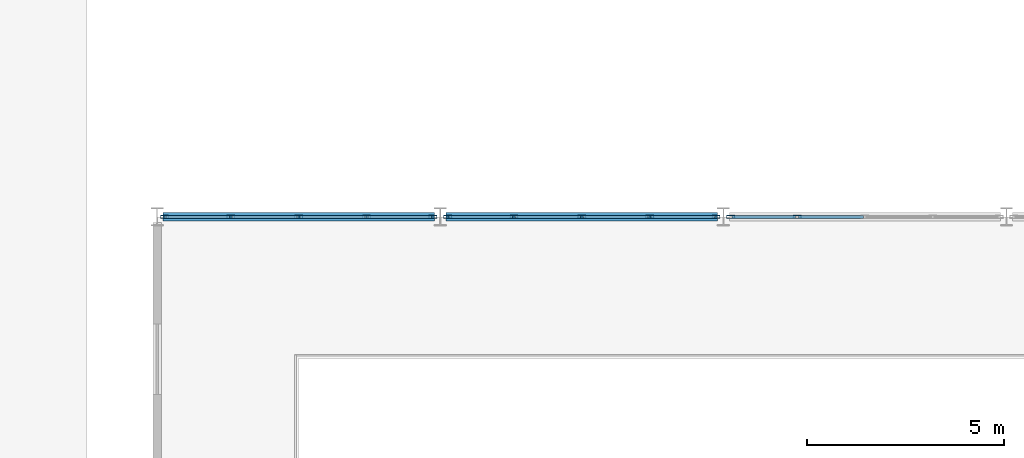
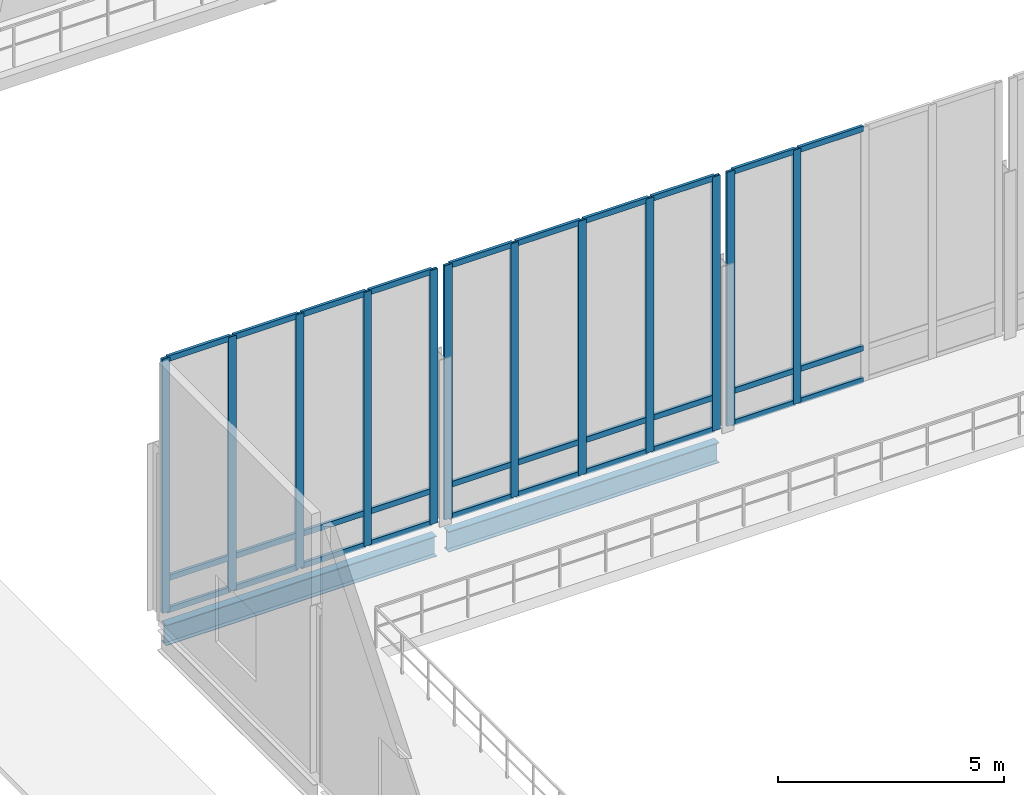
# One storey, part 35 of 110: 42 members, 2 beams, 3 elements without a shape of their own.
"""IFC4 building model written with IfcOpenShell, lengths in metres."""

from ifc_helpers import new_model, si_unit, direction, frame, origin, origin_2d, place, context, subcontext, project, spatial, hollow_rectangle, i_section, extrude, material, material_profile, profile_set, type_object, element, aggregate, save


model = new_model("IFC4")

# Units and contexts
model_context = context("Model", 3, precision=1e-05, world=origin(), true_north=direction((0.0, 1.0)))
body_context = subcontext(model_context, "Body", "Model", "MODEL_VIEW")
ifc_project = project(units=[si_unit("LENGTHUNIT", "METRE"), si_unit("AREAUNIT", "SQUARE_METRE"), si_unit("VOLUMEUNIT", "CUBIC_METRE"), si_unit("PLANEANGLEUNIT", "RADIAN"), si_unit("MASSUNIT", "GRAM", prefix="KILO")], contexts=[model_context])

# Site, building, storey
site_placement = place(None, origin())
site = spatial("IfcSite", under=ifc_project, at=site_placement, CompositionType="ELEMENT")
building_placement = place(site_placement, origin())
building = spatial("IfcBuilding", under=site, at=building_placement, Name="Suanplinth Sawtooth Commons", CompositionType="ELEMENT")
storey_placement = place(building_placement, frame((0.0, 0.0, 4.5)))
storey = spatial("IfcBuildingStorey", under=building, at=storey_placement, Name="L01", CompositionType="ELEMENT", Elevation=4.5)

# Beams
ifc_material_1 = material(Name="Steel S355JR", Category="steel")
ifc_material_profile_1 = material_profile(ifc_material_1, i_section(OverallWidth=0.2099609375, OverallDepth=0.550048828125, WebThickness=0.010986328125, FlangeThickness=0.01708984375, at=origin_2d()), Name="IPE 550")
ifc_profile_set_1 = profile_set([ifc_material_profile_1], Name="Steel S355JR")
beam_type = type_object("IfcBeamType", Name="B-10", PredefinedType="USERDEFINED", material=ifc_profile_set_1)
for number, where, z_axis, x_axis, name in (
    (1, (64.949951171875, 86.39990234375, -0.574951171875), (1.0, 0.0, 0.0), (0.0, 1.0, 0.0), "BMX-L01-HALL-9-12"),
    (2, (72.14990234375, 86.39990234375, -0.574951171875), (1.0, 0.0, 0.0), (0.0, 1.0, 0.0), "BMX-L01-HALL-10-12"),
):
    element("IfcBeam", number, at=place(storey_placement, frame(where, z_axis=z_axis, x_axis=x_axis)), inside=storey, type_object=beam_type, Name=name, ObjectType="GIRDER", PredefinedType="USERDEFINED", context=body_context, shape_type="SweptSolid", body=[
        extrude(i_section(OverallWidth=0.2099609375, OverallDepth=0.550048828125, WebThickness=0.010986328125, FlangeThickness=0.01708984375, at=origin_2d()), origin(), (0.0, 0.0, 1.0), 6.900146484375),
    ])

# Curtain wall, members
ifc_material_2 = material(Name="Anodized aluminium and low-E glazing", Category="aluminium")
curtain_wall_type = type_object("IfcCurtainWallType", Name="CW-01", PredefinedType="USERDEFINED", material=ifc_material_2)
curtain_wall_1_placement = place(storey_placement, origin())
curtain_wall_1 = element("IfcCurtainWall", 3, at=curtain_wall_1_placement, inside=storey, type_object=curtain_wall_type, Name="Curtain Wall CW-L01-HALL-N-0", ObjectType="CURTAIN WALL", PredefinedType="USERDEFINED")
ifc_material_3 = material(Name="Anodized aluminium 6063-T6", Category="aluminium")
ifc_material_profile_2 = material_profile(ifc_material_3, hollow_rectangle(XDim=0.074951171875, YDim=0.199951171875, WallThickness=0.0048828125, at=origin_2d()), Name="ALU-MUL 75x200")
ifc_profile_set_2 = profile_set([ifc_material_profile_2], Name="Anodized aluminium 6063-T6")
member_type_1 = type_object("IfcMemberType", Name="M-14", PredefinedType="MULLION", material=ifc_profile_set_2)
member_1_placement = place(storey_placement, frame((64.987548828125, 86.39990234375, 0.0), z_axis=(0.0, 0.0, 1.0), x_axis=(0.0, 1.0, 0.0)))
member_1 = element("IfcMember", 4, at=member_1_placement, type_object=member_type_1, Name="CW-01 mullion 1", PredefinedType="MULLION", context=body_context, shape_type="SweptSolid", body=[
    extrude(hollow_rectangle(XDim=0.074951171875, YDim=0.199951171875, WallThickness=0.0048828125, at=origin_2d()), origin(), (0.0, 0.0, 1.0), 6.85009765625),
])
member_2_placement = place(storey_placement, frame((66.675048828125, 86.39990234375, 0.0), z_axis=(0.0, 0.0, 1.0), x_axis=(0.0, 1.0, 0.0)))
member_2 = element("IfcMember", 5, at=member_2_placement, type_object=member_type_1, Name="CW-01 mullion 2", PredefinedType="MULLION", context=body_context, shape_type="SweptSolid", body=[
    extrude(hollow_rectangle(XDim=0.074951171875, YDim=0.199951171875, WallThickness=0.0048828125, at=origin_2d()), origin(), (0.0, 0.0, 1.0), 6.85009765625),
])
member_3_placement = place(storey_placement, frame((68.39990234375, 86.39990234375, 0.0), z_axis=(0.0, 0.0, 1.0), x_axis=(0.0, 1.0, 0.0)))
member_3 = element("IfcMember", 6, at=member_3_placement, type_object=member_type_1, Name="CW-01 mullion 3", PredefinedType="MULLION", context=body_context, shape_type="SweptSolid", body=[
    extrude(hollow_rectangle(XDim=0.074951171875, YDim=0.199951171875, WallThickness=0.0048828125, at=origin_2d()), origin(), (0.0, 0.0, 1.0), 6.85009765625),
])
member_4_placement = place(storey_placement, frame((70.125, 86.39990234375, 0.0), z_axis=(0.0, 0.0, 1.0), x_axis=(0.0, 1.0, 0.0)))
member_4 = element("IfcMember", 7, at=member_4_placement, type_object=member_type_1, Name="CW-01 mullion 4", PredefinedType="MULLION", context=body_context, shape_type="SweptSolid", body=[
    extrude(hollow_rectangle(XDim=0.074951171875, YDim=0.199951171875, WallThickness=0.0048828125, at=origin_2d()), origin(), (0.0, 0.0, 1.0), 6.85009765625),
])
member_5_placement = place(storey_placement, frame((71.8125, 86.39990234375, 0.0), z_axis=(0.0, 0.0, 1.0), x_axis=(0.0, 1.0, 0.0)))
member_5 = element("IfcMember", 8, at=member_5_placement, type_object=member_type_1, Name="CW-01 mullion 5", PredefinedType="MULLION", context=body_context, shape_type="SweptSolid", body=[
    extrude(hollow_rectangle(XDim=0.074951171875, YDim=0.199951171875, WallThickness=0.0048828125, at=origin_2d()), origin(), (0.0, 0.0, 1.0), 6.85009765625),
])

curtain_wall_2_placement = place(storey_placement, origin())
curtain_wall_2 = element("IfcCurtainWall", 9, at=curtain_wall_2_placement, inside=storey, type_object=curtain_wall_type, Name="Curtain Wall CW-L01-HALL-N-1", ObjectType="CURTAIN WALL", PredefinedType="USERDEFINED")
member_6_placement = place(storey_placement, frame((72.1875, 86.39990234375, 0.0), z_axis=(0.0, 0.0, 1.0), x_axis=(0.0, 1.0, 0.0)))
member_6 = element("IfcMember", 10, at=member_6_placement, type_object=member_type_1, Name="CW-01 mullion 1", PredefinedType="MULLION", context=body_context, shape_type="SweptSolid", body=[
    extrude(hollow_rectangle(XDim=0.074951171875, YDim=0.199951171875, WallThickness=0.0048828125, at=origin_2d()), origin(), (0.0, 0.0, 1.0), 6.85009765625),
])
member_7_placement = place(storey_placement, frame((73.875, 86.39990234375, 0.0), z_axis=(0.0, 0.0, 1.0), x_axis=(0.0, 1.0, 0.0)))
member_7 = element("IfcMember", 11, at=member_7_placement, type_object=member_type_1, Name="CW-01 mullion 2", PredefinedType="MULLION", context=body_context, shape_type="SweptSolid", body=[
    extrude(hollow_rectangle(XDim=0.074951171875, YDim=0.199951171875, WallThickness=0.0048828125, at=origin_2d()), origin(), (0.0, 0.0, 1.0), 6.85009765625),
])
member_8_placement = place(storey_placement, frame((75.60009765625, 86.39990234375, 0.0), z_axis=(0.0, 0.0, 1.0), x_axis=(0.0, 1.0, 0.0)))
member_8 = element("IfcMember", 12, at=member_8_placement, type_object=member_type_1, Name="CW-01 mullion 3", PredefinedType="MULLION", context=body_context, shape_type="SweptSolid", body=[
    extrude(hollow_rectangle(XDim=0.074951171875, YDim=0.199951171875, WallThickness=0.0048828125, at=origin_2d()), origin(), (0.0, 0.0, 1.0), 6.85009765625),
])
member_9_placement = place(storey_placement, frame((77.324951171875, 86.39990234375, 0.0), z_axis=(0.0, 0.0, 1.0), x_axis=(0.0, 1.0, 0.0)))
member_9 = element("IfcMember", 13, at=member_9_placement, type_object=member_type_1, Name="CW-01 mullion 4", PredefinedType="MULLION", context=body_context, shape_type="SweptSolid", body=[
    extrude(hollow_rectangle(XDim=0.074951171875, YDim=0.199951171875, WallThickness=0.0048828125, at=origin_2d()), origin(), (0.0, 0.0, 1.0), 6.85009765625),
])
member_10_placement = place(storey_placement, frame((79.012451171875, 86.39990234375, 0.0), z_axis=(0.0, 0.0, 1.0), x_axis=(0.0, 1.0, 0.0)))
member_10 = element("IfcMember", 14, at=member_10_placement, type_object=member_type_1, Name="CW-01 mullion 5", PredefinedType="MULLION", context=body_context, shape_type="SweptSolid", body=[
    extrude(hollow_rectangle(XDim=0.074951171875, YDim=0.199951171875, WallThickness=0.0048828125, at=origin_2d()), origin(), (0.0, 0.0, 1.0), 6.85009765625),
])

curtain_wall_3_placement = place(storey_placement, origin())
curtain_wall_3 = element("IfcCurtainWall", 15, at=curtain_wall_3_placement, inside=storey, type_object=curtain_wall_type, Name="Curtain Wall CW-L01-HALL-N-2", ObjectType="CURTAIN WALL", PredefinedType="USERDEFINED")
member_11_placement = place(storey_placement, frame((79.387451171875, 86.39990234375, 0.0), z_axis=(0.0, 0.0, 1.0), x_axis=(0.0, 1.0, 0.0)))
member_11 = element("IfcMember", 16, at=member_11_placement, type_object=member_type_1, Name="CW-01 mullion 1", PredefinedType="MULLION", context=body_context, shape_type="SweptSolid", body=[
    extrude(hollow_rectangle(XDim=0.074951171875, YDim=0.199951171875, WallThickness=0.0048828125, at=origin_2d()), origin(), (0.0, 0.0, 1.0), 6.85009765625),
])
member_12_placement = place(storey_placement, frame((81.074951171875, 86.39990234375, 0.0), z_axis=(0.0, 0.0, 1.0), x_axis=(0.0, 1.0, 0.0)))
member_12 = element("IfcMember", 17, at=member_12_placement, type_object=member_type_1, Name="CW-01 mullion 2", PredefinedType="MULLION", context=body_context, shape_type="SweptSolid", body=[
    extrude(hollow_rectangle(XDim=0.074951171875, YDim=0.199951171875, WallThickness=0.0048828125, at=origin_2d()), origin(), (0.0, 0.0, 1.0), 6.85009765625),
])

# Member
ifc_material_profile_3 = material_profile(ifc_material_3, hollow_rectangle(XDim=0.074951171875, YDim=0.14990234375, WallThickness=0.00439453125, at=origin_2d()), Name="ALU-TRN 75x150")
ifc_profile_set_3 = profile_set([ifc_material_profile_3], Name="Anodized aluminium 6063-T6")
member_type_2 = type_object("IfcMemberType", Name="M-16", PredefinedType="USERDEFINED", material=ifc_profile_set_3)
member_13_placement = place(storey_placement, frame((65.02490234375, 86.39990234375, 0.03759765625), z_axis=(1.0, 0.0, 0.0), x_axis=(0.0, 1.0, 0.0)))
member_13 = element("IfcMember", 18, at=member_13_placement, type_object=member_type_2, Name="CW-01 transom 1.1", ObjectType="TRANSOM", PredefinedType="USERDEFINED", context=body_context, shape_type="SweptSolid", body=[
    extrude(hollow_rectangle(XDim=0.074951171875, YDim=0.14990234375, WallThickness=0.00439453125, at=origin_2d()), origin(), (0.0, 0.0, 1.0), 1.612548828125),
])

member_14_placement = place(storey_placement, frame((65.02490234375, 86.39990234375, 0.89990234375), z_axis=(1.0, 0.0, 0.0), x_axis=(0.0, 1.0, 0.0)))
member_14 = element("IfcMember", 19, at=member_14_placement, type_object=member_type_2, Name="CW-01 transom 1.2", ObjectType="TRANSOM", PredefinedType="USERDEFINED", context=body_context, shape_type="SweptSolid", body=[
    extrude(hollow_rectangle(XDim=0.074951171875, YDim=0.14990234375, WallThickness=0.00439453125, at=origin_2d()), origin(), (0.0, 0.0, 1.0), 1.612548828125),
])

member_15_placement = place(storey_placement, frame((65.02490234375, 86.39990234375, 6.8125), z_axis=(1.0, 0.0, 0.0), x_axis=(0.0, 1.0, 0.0)))
member_15 = element("IfcMember", 20, at=member_15_placement, type_object=member_type_2, Name="CW-01 transom 1.3", ObjectType="TRANSOM", PredefinedType="USERDEFINED", context=body_context, shape_type="SweptSolid", body=[
    extrude(hollow_rectangle(XDim=0.074951171875, YDim=0.14990234375, WallThickness=0.00439453125, at=origin_2d()), origin(), (0.0, 0.0, 1.0), 1.612548828125),
])

member_16_placement = place(storey_placement, frame((66.71240234375, 86.39990234375, 0.03759765625), z_axis=(1.0, 0.0, 0.0), x_axis=(0.0, 1.0, 0.0)))
member_16 = element("IfcMember", 21, at=member_16_placement, type_object=member_type_2, Name="CW-01 transom 2.1", ObjectType="TRANSOM", PredefinedType="USERDEFINED", context=body_context, shape_type="SweptSolid", body=[
    extrude(hollow_rectangle(XDim=0.074951171875, YDim=0.14990234375, WallThickness=0.00439453125, at=origin_2d()), origin(), (0.0, 0.0, 1.0), 1.650146484375),
])

member_17_placement = place(storey_placement, frame((66.71240234375, 86.39990234375, 0.89990234375), z_axis=(1.0, 0.0, 0.0), x_axis=(0.0, 1.0, 0.0)))
member_17 = element("IfcMember", 22, at=member_17_placement, type_object=member_type_2, Name="CW-01 transom 2.2", ObjectType="TRANSOM", PredefinedType="USERDEFINED", context=body_context, shape_type="SweptSolid", body=[
    extrude(hollow_rectangle(XDim=0.074951171875, YDim=0.14990234375, WallThickness=0.00439453125, at=origin_2d()), origin(), (0.0, 0.0, 1.0), 1.650146484375),
])

member_18_placement = place(storey_placement, frame((66.71240234375, 86.39990234375, 6.8125), z_axis=(1.0, 0.0, 0.0), x_axis=(0.0, 1.0, 0.0)))
member_18 = element("IfcMember", 23, at=member_18_placement, type_object=member_type_2, Name="CW-01 transom 2.3", ObjectType="TRANSOM", PredefinedType="USERDEFINED", context=body_context, shape_type="SweptSolid", body=[
    extrude(hollow_rectangle(XDim=0.074951171875, YDim=0.14990234375, WallThickness=0.00439453125, at=origin_2d()), origin(), (0.0, 0.0, 1.0), 1.650146484375),
])

member_19_placement = place(storey_placement, frame((68.4375, 86.39990234375, 0.03759765625), z_axis=(1.0, 0.0, 0.0), x_axis=(0.0, 1.0, 0.0)))
member_19 = element("IfcMember", 24, at=member_19_placement, type_object=member_type_2, Name="CW-01 transom 3.1", ObjectType="TRANSOM", PredefinedType="USERDEFINED", context=body_context, shape_type="SweptSolid", body=[
    extrude(hollow_rectangle(XDim=0.074951171875, YDim=0.14990234375, WallThickness=0.00439453125, at=origin_2d()), origin(), (0.0, 0.0, 1.0), 1.64990234375),
])

member_20_placement = place(storey_placement, frame((68.4375, 86.39990234375, 0.89990234375), z_axis=(1.0, 0.0, 0.0), x_axis=(0.0, 1.0, 0.0)))
member_20 = element("IfcMember", 25, at=member_20_placement, type_object=member_type_2, Name="CW-01 transom 3.2", ObjectType="TRANSOM", PredefinedType="USERDEFINED", context=body_context, shape_type="SweptSolid", body=[
    extrude(hollow_rectangle(XDim=0.074951171875, YDim=0.14990234375, WallThickness=0.00439453125, at=origin_2d()), origin(), (0.0, 0.0, 1.0), 1.64990234375),
])

member_21_placement = place(storey_placement, frame((68.4375, 86.39990234375, 6.8125), z_axis=(1.0, 0.0, 0.0), x_axis=(0.0, 1.0, 0.0)))
member_21 = element("IfcMember", 26, at=member_21_placement, type_object=member_type_2, Name="CW-01 transom 3.3", ObjectType="TRANSOM", PredefinedType="USERDEFINED", context=body_context, shape_type="SweptSolid", body=[
    extrude(hollow_rectangle(XDim=0.074951171875, YDim=0.14990234375, WallThickness=0.00439453125, at=origin_2d()), origin(), (0.0, 0.0, 1.0), 1.64990234375),
])

member_22_placement = place(storey_placement, frame((70.16259765625, 86.39990234375, 0.03759765625), z_axis=(1.0, 0.0, 0.0), x_axis=(0.0, 1.0, 0.0)))
member_22 = element("IfcMember", 27, at=member_22_placement, type_object=member_type_2, Name="CW-01 transom 4.1", ObjectType="TRANSOM", PredefinedType="USERDEFINED", context=body_context, shape_type="SweptSolid", body=[
    extrude(hollow_rectangle(XDim=0.074951171875, YDim=0.14990234375, WallThickness=0.00439453125, at=origin_2d()), origin(), (0.0, 0.0, 1.0), 1.6123046875),
])

member_23_placement = place(storey_placement, frame((70.16259765625, 86.39990234375, 0.89990234375), z_axis=(1.0, 0.0, 0.0), x_axis=(0.0, 1.0, 0.0)))
member_23 = element("IfcMember", 28, at=member_23_placement, type_object=member_type_2, Name="CW-01 transom 4.2", ObjectType="TRANSOM", PredefinedType="USERDEFINED", context=body_context, shape_type="SweptSolid", body=[
    extrude(hollow_rectangle(XDim=0.074951171875, YDim=0.14990234375, WallThickness=0.00439453125, at=origin_2d()), origin(), (0.0, 0.0, 1.0), 1.6123046875),
])

member_24_placement = place(storey_placement, frame((70.16259765625, 86.39990234375, 6.8125), z_axis=(1.0, 0.0, 0.0), x_axis=(0.0, 1.0, 0.0)))
member_24 = element("IfcMember", 29, at=member_24_placement, type_object=member_type_2, Name="CW-01 transom 4.3", ObjectType="TRANSOM", PredefinedType="USERDEFINED", context=body_context, shape_type="SweptSolid", body=[
    extrude(hollow_rectangle(XDim=0.074951171875, YDim=0.14990234375, WallThickness=0.00439453125, at=origin_2d()), origin(), (0.0, 0.0, 1.0), 1.6123046875),
])

aggregate(curtain_wall_1, [member_1, member_2, member_3, member_4, member_5, member_13, member_14, member_15, member_16, member_17, member_18, member_19, member_20, member_21, member_22, member_23, member_24])

member_25_placement = place(storey_placement, frame((72.22509765625, 86.39990234375, 0.03759765625), z_axis=(1.0, 0.0, 0.0), x_axis=(0.0, 1.0, 0.0)))
member_25 = element("IfcMember", 30, at=member_25_placement, type_object=member_type_2, Name="CW-01 transom 1.1", ObjectType="TRANSOM", PredefinedType="USERDEFINED", context=body_context, shape_type="SweptSolid", body=[
    extrude(hollow_rectangle(XDim=0.074951171875, YDim=0.14990234375, WallThickness=0.00439453125, at=origin_2d()), origin(), (0.0, 0.0, 1.0), 1.6123046875),
])

member_26_placement = place(storey_placement, frame((72.22509765625, 86.39990234375, 0.89990234375), z_axis=(1.0, 0.0, 0.0), x_axis=(0.0, 1.0, 0.0)))
member_26 = element("IfcMember", 31, at=member_26_placement, type_object=member_type_2, Name="CW-01 transom 1.2", ObjectType="TRANSOM", PredefinedType="USERDEFINED", context=body_context, shape_type="SweptSolid", body=[
    extrude(hollow_rectangle(XDim=0.074951171875, YDim=0.14990234375, WallThickness=0.00439453125, at=origin_2d()), origin(), (0.0, 0.0, 1.0), 1.6123046875),
])

member_27_placement = place(storey_placement, frame((72.22509765625, 86.39990234375, 6.8125), z_axis=(1.0, 0.0, 0.0), x_axis=(0.0, 1.0, 0.0)))
member_27 = element("IfcMember", 32, at=member_27_placement, type_object=member_type_2, Name="CW-01 transom 1.3", ObjectType="TRANSOM", PredefinedType="USERDEFINED", context=body_context, shape_type="SweptSolid", body=[
    extrude(hollow_rectangle(XDim=0.074951171875, YDim=0.14990234375, WallThickness=0.00439453125, at=origin_2d()), origin(), (0.0, 0.0, 1.0), 1.6123046875),
])

member_28_placement = place(storey_placement, frame((73.91259765625, 86.39990234375, 0.03759765625), z_axis=(1.0, 0.0, 0.0), x_axis=(0.0, 1.0, 0.0)))
member_28 = element("IfcMember", 33, at=member_28_placement, type_object=member_type_2, Name="CW-01 transom 2.1", ObjectType="TRANSOM", PredefinedType="USERDEFINED", context=body_context, shape_type="SweptSolid", body=[
    extrude(hollow_rectangle(XDim=0.074951171875, YDim=0.14990234375, WallThickness=0.00439453125, at=origin_2d()), origin(), (0.0, 0.0, 1.0), 1.64990234375),
])

member_29_placement = place(storey_placement, frame((73.91259765625, 86.39990234375, 0.89990234375), z_axis=(1.0, 0.0, 0.0), x_axis=(0.0, 1.0, 0.0)))
member_29 = element("IfcMember", 34, at=member_29_placement, type_object=member_type_2, Name="CW-01 transom 2.2", ObjectType="TRANSOM", PredefinedType="USERDEFINED", context=body_context, shape_type="SweptSolid", body=[
    extrude(hollow_rectangle(XDim=0.074951171875, YDim=0.14990234375, WallThickness=0.00439453125, at=origin_2d()), origin(), (0.0, 0.0, 1.0), 1.64990234375),
])

member_30_placement = place(storey_placement, frame((73.91259765625, 86.39990234375, 6.8125), z_axis=(1.0, 0.0, 0.0), x_axis=(0.0, 1.0, 0.0)))
member_30 = element("IfcMember", 35, at=member_30_placement, type_object=member_type_2, Name="CW-01 transom 2.3", ObjectType="TRANSOM", PredefinedType="USERDEFINED", context=body_context, shape_type="SweptSolid", body=[
    extrude(hollow_rectangle(XDim=0.074951171875, YDim=0.14990234375, WallThickness=0.00439453125, at=origin_2d()), origin(), (0.0, 0.0, 1.0), 1.64990234375),
])

member_31_placement = place(storey_placement, frame((75.637451171875, 86.39990234375, 0.03759765625), z_axis=(1.0, 0.0, 0.0), x_axis=(0.0, 1.0, 0.0)))
member_31 = element("IfcMember", 36, at=member_31_placement, type_object=member_type_2, Name="CW-01 transom 3.1", ObjectType="TRANSOM", PredefinedType="USERDEFINED", context=body_context, shape_type="SweptSolid", body=[
    extrude(hollow_rectangle(XDim=0.074951171875, YDim=0.14990234375, WallThickness=0.00439453125, at=origin_2d()), origin(), (0.0, 0.0, 1.0), 1.650146484375),
])

member_32_placement = place(storey_placement, frame((75.637451171875, 86.39990234375, 0.89990234375), z_axis=(1.0, 0.0, 0.0), x_axis=(0.0, 1.0, 0.0)))
member_32 = element("IfcMember", 37, at=member_32_placement, type_object=member_type_2, Name="CW-01 transom 3.2", ObjectType="TRANSOM", PredefinedType="USERDEFINED", context=body_context, shape_type="SweptSolid", body=[
    extrude(hollow_rectangle(XDim=0.074951171875, YDim=0.14990234375, WallThickness=0.00439453125, at=origin_2d()), origin(), (0.0, 0.0, 1.0), 1.650146484375),
])

member_33_placement = place(storey_placement, frame((75.637451171875, 86.39990234375, 6.8125), z_axis=(1.0, 0.0, 0.0), x_axis=(0.0, 1.0, 0.0)))
member_33 = element("IfcMember", 38, at=member_33_placement, type_object=member_type_2, Name="CW-01 transom 3.3", ObjectType="TRANSOM", PredefinedType="USERDEFINED", context=body_context, shape_type="SweptSolid", body=[
    extrude(hollow_rectangle(XDim=0.074951171875, YDim=0.14990234375, WallThickness=0.00439453125, at=origin_2d()), origin(), (0.0, 0.0, 1.0), 1.650146484375),
])

member_34_placement = place(storey_placement, frame((77.362548828125, 86.39990234375, 0.03759765625), z_axis=(1.0, 0.0, 0.0), x_axis=(0.0, 1.0, 0.0)))
member_34 = element("IfcMember", 39, at=member_34_placement, type_object=member_type_2, Name="CW-01 transom 4.1", ObjectType="TRANSOM", PredefinedType="USERDEFINED", context=body_context, shape_type="SweptSolid", body=[
    extrude(hollow_rectangle(XDim=0.074951171875, YDim=0.14990234375, WallThickness=0.00439453125, at=origin_2d()), origin(), (0.0, 0.0, 1.0), 1.612548828125),
])

member_35_placement = place(storey_placement, frame((77.362548828125, 86.39990234375, 0.89990234375), z_axis=(1.0, 0.0, 0.0), x_axis=(0.0, 1.0, 0.0)))
member_35 = element("IfcMember", 40, at=member_35_placement, type_object=member_type_2, Name="CW-01 transom 4.2", ObjectType="TRANSOM", PredefinedType="USERDEFINED", context=body_context, shape_type="SweptSolid", body=[
    extrude(hollow_rectangle(XDim=0.074951171875, YDim=0.14990234375, WallThickness=0.00439453125, at=origin_2d()), origin(), (0.0, 0.0, 1.0), 1.612548828125),
])

member_36_placement = place(storey_placement, frame((77.362548828125, 86.39990234375, 6.8125), z_axis=(1.0, 0.0, 0.0), x_axis=(0.0, 1.0, 0.0)))
member_36 = element("IfcMember", 41, at=member_36_placement, type_object=member_type_2, Name="CW-01 transom 4.3", ObjectType="TRANSOM", PredefinedType="USERDEFINED", context=body_context, shape_type="SweptSolid", body=[
    extrude(hollow_rectangle(XDim=0.074951171875, YDim=0.14990234375, WallThickness=0.00439453125, at=origin_2d()), origin(), (0.0, 0.0, 1.0), 1.612548828125),
])

aggregate(curtain_wall_2, [member_6, member_7, member_8, member_9, member_10, member_25, member_26, member_27, member_28, member_29, member_30, member_31, member_32, member_33, member_34, member_35, member_36])

member_37_placement = place(storey_placement, frame((79.425048828125, 86.39990234375, 0.03759765625), z_axis=(1.0, 0.0, 0.0), x_axis=(0.0, 1.0, 0.0)))
member_37 = element("IfcMember", 42, at=member_37_placement, type_object=member_type_2, Name="CW-01 transom 1.1", ObjectType="TRANSOM", PredefinedType="USERDEFINED", context=body_context, shape_type="SweptSolid", body=[
    extrude(hollow_rectangle(XDim=0.074951171875, YDim=0.14990234375, WallThickness=0.00439453125, at=origin_2d()), origin(), (0.0, 0.0, 1.0), 1.612548828125),
])

member_38_placement = place(storey_placement, frame((79.425048828125, 86.39990234375, 0.89990234375), z_axis=(1.0, 0.0, 0.0), x_axis=(0.0, 1.0, 0.0)))
member_38 = element("IfcMember", 43, at=member_38_placement, type_object=member_type_2, Name="CW-01 transom 1.2", ObjectType="TRANSOM", PredefinedType="USERDEFINED", context=body_context, shape_type="SweptSolid", body=[
    extrude(hollow_rectangle(XDim=0.074951171875, YDim=0.14990234375, WallThickness=0.00439453125, at=origin_2d()), origin(), (0.0, 0.0, 1.0), 1.612548828125),
])

member_39_placement = place(storey_placement, frame((79.425048828125, 86.39990234375, 6.8125), z_axis=(1.0, 0.0, 0.0), x_axis=(0.0, 1.0, 0.0)))
member_39 = element("IfcMember", 44, at=member_39_placement, type_object=member_type_2, Name="CW-01 transom 1.3", ObjectType="TRANSOM", PredefinedType="USERDEFINED", context=body_context, shape_type="SweptSolid", body=[
    extrude(hollow_rectangle(XDim=0.074951171875, YDim=0.14990234375, WallThickness=0.00439453125, at=origin_2d()), origin(), (0.0, 0.0, 1.0), 1.612548828125),
])

member_40_placement = place(storey_placement, frame((81.112548828125, 86.39990234375, 0.03759765625), z_axis=(1.0, 0.0, 0.0), x_axis=(0.0, 1.0, 0.0)))
member_40 = element("IfcMember", 45, at=member_40_placement, type_object=member_type_2, Name="CW-01 transom 2.1", ObjectType="TRANSOM", PredefinedType="USERDEFINED", context=body_context, shape_type="SweptSolid", body=[
    extrude(hollow_rectangle(XDim=0.074951171875, YDim=0.14990234375, WallThickness=0.00439453125, at=origin_2d()), origin(), (0.0, 0.0, 1.0), 1.64990234375),
])

member_41_placement = place(storey_placement, frame((81.112548828125, 86.39990234375, 0.89990234375), z_axis=(1.0, 0.0, 0.0), x_axis=(0.0, 1.0, 0.0)))
member_41 = element("IfcMember", 46, at=member_41_placement, type_object=member_type_2, Name="CW-01 transom 2.2", ObjectType="TRANSOM", PredefinedType="USERDEFINED", context=body_context, shape_type="SweptSolid", body=[
    extrude(hollow_rectangle(XDim=0.074951171875, YDim=0.14990234375, WallThickness=0.00439453125, at=origin_2d()), origin(), (0.0, 0.0, 1.0), 1.64990234375),
])

member_42_placement = place(storey_placement, frame((81.112548828125, 86.39990234375, 6.8125), z_axis=(1.0, 0.0, 0.0), x_axis=(0.0, 1.0, 0.0)))
member_42 = element("IfcMember", 47, at=member_42_placement, type_object=member_type_2, Name="CW-01 transom 2.3", ObjectType="TRANSOM", PredefinedType="USERDEFINED", context=body_context, shape_type="SweptSolid", body=[
    extrude(hollow_rectangle(XDim=0.074951171875, YDim=0.14990234375, WallThickness=0.00439453125, at=origin_2d()), origin(), (0.0, 0.0, 1.0), 1.64990234375),
])

aggregate(curtain_wall_3, [member_11, member_12, member_37, member_38, member_39, member_40, member_41, member_42])

save(model, "model.ifc")
